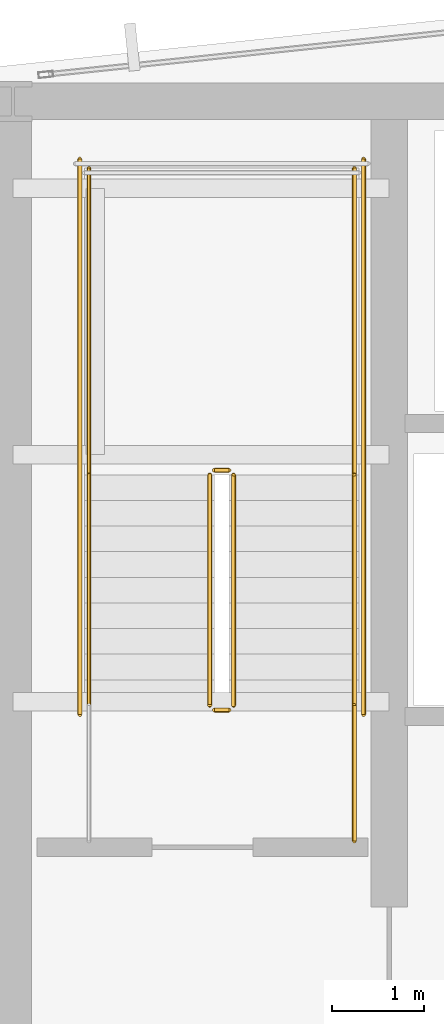
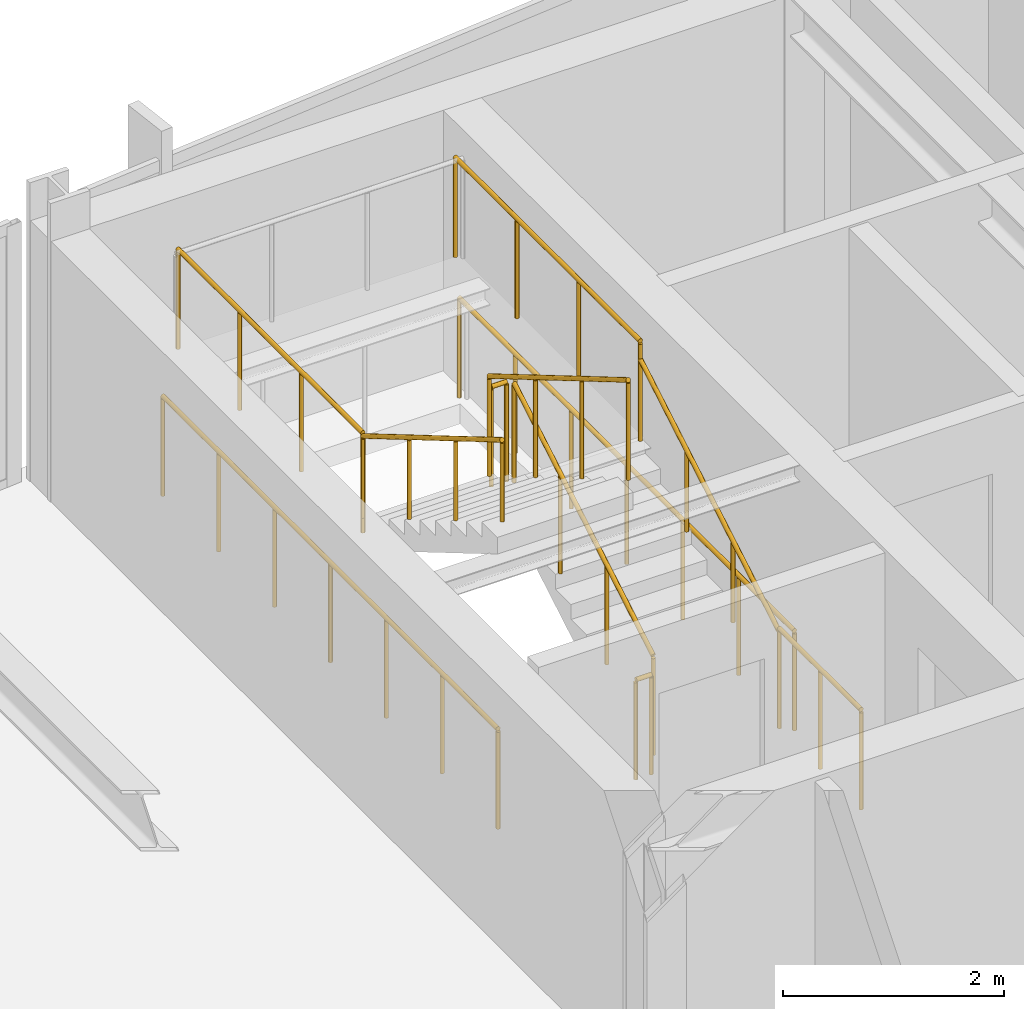
# One storey, part 31 of 33: 11 railings.
"""IFC4 building model written with IfcOpenShell, lengths in metres."""

from ifc_helpers import new_model, si_unit, direction, frame, origin, origin_2d, place, context, subcontext, project, spatial, circle, extrude, material, layer, layer_set, type_object, element, save


model = new_model("IFC4")

# Units and contexts
model_context = context("Model", 3, precision=1e-05, world=origin(), true_north=direction((0.0, 1.0)))
body_context = subcontext(model_context, "Body", "Model", "MODEL_VIEW")
ifc_project = project(units=[si_unit("LENGTHUNIT", "METRE"), si_unit("AREAUNIT", "SQUARE_METRE"), si_unit("VOLUMEUNIT", "CUBIC_METRE"), si_unit("PLANEANGLEUNIT", "RADIAN"), si_unit("MASSUNIT", "GRAM", prefix="KILO")], contexts=[model_context])

# Site, building, storey
site_placement = place(None, origin())
site = spatial("IfcSite", under=ifc_project, at=site_placement, CompositionType="ELEMENT")
building_placement = place(site_placement, origin())
building = spatial("IfcBuilding", under=site, at=building_placement, Name="Yelkora Congress Tower", CompositionType="ELEMENT")
storey_placement = place(building_placement, frame((0.0, 0.0, 244.10009765625)))
storey = spatial("IfcBuildingStorey", under=building, at=storey_placement, Name="L68", CompositionType="ELEMENT", Elevation=244.10009765625)

# Railings
ifc_material_1 = material(Name="Painted galvanised steel stair well guard with vertical infill", Category="steel")
ifc_layer_1 = layer(ifc_material_1, 0.06005859375)
ifc_layer_set_1 = layer_set([ifc_layer_1], Name="Painted galvanised steel stair well guard with vertical infill")
railing_type_1 = type_object("IfcRailingType", Name="RAIL-STAIR-GUARD-1120", PredefinedType="GUARDRAIL", material=ifc_layer_set_1)
railing_1_placement = place(storey_placement, frame((25.449951171875, 39.60009765625, 0.164794921875)))
element("IfcRailing", 1, at=railing_1_placement, inside=storey, type_object=railing_type_1, Name="ST-01 L68 Stair Well Guardrail 1", PredefinedType="GUARDRAIL", context=body_context, shape_type="SweptSolid", body=[
    extrude(circle(Radius=0.02392578125, at=origin_2d()), frame((0.0, 0.0, 1.09619140625), z_axis=(0.0, 0.86152411907, 0.507716645641), x_axis=(-1.0, 0.0, 0.0)), (0.0, 0.0, 1.0), 2.925048828125),
    extrude(circle(Radius=0.02099609375, at=origin_2d()), origin(), (0.0, 0.0, 1.0), 1.072021484375),
    extrude(circle(Radius=0.02099609375, at=origin_2d()), frame((0.0, 0.840087890625, 0.4951171875)), (0.0, 0.0, 1.0), 1.072021484375),
    extrude(circle(Radius=0.02099609375, at=origin_2d()), frame((0.0, 1.679931640625, 0.989990234375)), (0.0, 0.0, 1.0), 1.072021484375),
    extrude(circle(Radius=0.02099609375, at=origin_2d()), frame((0.0, 2.52001953125, 1.485107421875)), (0.0, 0.0, 1.0), 1.072021484375),
])
railing_2_placement = place(storey_placement, frame((25.39990234375, 42.169921875, 1.64990234375)))
element("IfcRailing", 2, at=railing_2_placement, inside=storey, type_object=railing_type_1, Name="ST-01 L68 Stair Well Guardrail 2", PredefinedType="GUARDRAIL", context=body_context, shape_type="SweptSolid", body=[
    extrude(circle(Radius=0.02392578125, at=origin_2d()), frame((0.0, 0.0, 1.09619140625), z_axis=(-1.0, 0.0, 0.0), x_axis=(0.0, -1.0, 0.0)), (0.0, 0.0, 1.0), 0.159912109375),
    extrude(circle(Radius=0.02099609375, at=origin_2d()), origin(), (0.0, 0.0, 1.0), 1.072021484375),
    extrude(circle(Radius=0.02099609375, at=origin_2d()), frame((-0.159912109375, 0.0, 0.0)), (0.0, 0.0, 1.0), 1.072021484375),
])
for number, where, name in (
    (3, (26.77001953125, 42.1201171875, 1.64990234375), "ST-01 L68 Stair Well Guardrail 3"),
    (4, (23.8701171875, 42.1201171875, 1.64990234375), "ST-01 L68 Stair Well Guardrail 4"),
):
    element("IfcRailing", number, at=place(storey_placement, frame(where)), inside=storey, type_object=railing_type_1, Name=name, PredefinedType="GUARDRAIL", context=body_context, shape_type="SweptSolid", body=[
        extrude(circle(Radius=0.02392578125, at=origin_2d()), frame((0.0, 0.0, 1.09619140625), z_axis=(0.0, 1.0, 0.0), x_axis=(-1.0, 0.0, 0.0)), (0.0, 0.0, 1.0), 3.349853515625),
        extrude(circle(Radius=0.02099609375, at=origin_2d()), origin(), (0.0, 0.0, 1.0), 1.072021484375),
        extrude(circle(Radius=0.02099609375, at=origin_2d()), frame((0.0, 1.11669921875, 0.0)), (0.0, 0.0, 1.0), 1.072021484375),
        extrude(circle(Radius=0.02099609375, at=origin_2d()), frame((0.0, 2.233154296875, 0.0)), (0.0, 0.0, 1.0), 1.072021484375),
        extrude(circle(Radius=0.02099609375, at=origin_2d()), frame((0.0, 3.349853515625, 0.0)), (0.0, 0.0, 1.0), 1.072021484375),
    ])
railing_3_placement = place(storey_placement, frame((25.18994140625, 42.1201171875, 1.81494140625)))
element("IfcRailing", 5, at=railing_3_placement, inside=storey, type_object=railing_type_1, Name="ST-01 L68 Stair Well Guardrail 6", PredefinedType="GUARDRAIL", context=body_context, shape_type="SweptSolid", body=[
    extrude(circle(Radius=0.02392578125, at=origin_2d()), frame((0.0, 0.0, 1.09619140625), z_axis=(0.0, -0.861560626758, 0.507654692109), x_axis=(1.0, 0.0, 0.0)), (0.0, 0.0, 1.0), 2.925048828125),
    extrude(circle(Radius=0.02099609375, at=origin_2d()), origin(), (0.0, 0.0, 1.0), 1.072021484375),
    extrude(circle(Radius=0.02099609375, at=origin_2d()), frame((0.0, -0.840087890625, 0.494873046875)), (0.0, 0.0, 1.0), 1.072021484375),
    extrude(circle(Radius=0.02099609375, at=origin_2d()), frame((0.0, -1.679931640625, 0.989990234375)), (0.0, 0.0, 1.0), 1.072021484375),
    extrude(circle(Radius=0.02099609375, at=origin_2d()), frame((0.0, -2.52001953125, 1.48486328125)), (0.0, 0.0, 1.0), 1.072021484375),
])
railing_4_placement = place(storey_placement, frame((25.39990234375, 39.550048828125, 0.0)))
element("IfcRailing", 6, at=railing_4_placement, inside=storey, type_object=railing_type_1, Name="ST-01 L68 Stair Well Guardrail 7", PredefinedType="GUARDRAIL", context=body_context, shape_type="SweptSolid", body=[
    extrude(circle(Radius=0.02392578125, at=origin_2d()), frame((0.0, 0.0, 1.09619140625), z_axis=(-1.0, 0.0, 0.0), x_axis=(0.0, -1.0, 0.0)), (0.0, 0.0, 1.0), 0.159912109375),
    extrude(circle(Radius=0.02099609375, at=origin_2d()), origin(), (0.0, 0.0, 1.0), 1.072021484375),
    extrude(circle(Radius=0.02099609375, at=origin_2d()), frame((-0.159912109375, 0.0, 0.0)), (0.0, 0.0, 1.0), 1.072021484375),
])
railing_5_placement = place(storey_placement, frame((26.77001953125, 38.1201171875, 0.0)))
element("IfcRailing", 7, at=railing_5_placement, inside=storey, type_object=railing_type_1, Name="ST-01 L68 Stair Well Guardrail 8", PredefinedType="GUARDRAIL", context=body_context, shape_type="SweptSolid", body=[
    extrude(circle(Radius=0.02392578125, at=origin_2d()), frame((0.0, 0.0, 1.09619140625), z_axis=(0.0, 1.0, 0.0), x_axis=(-1.0, 0.0, 0.0)), (0.0, 0.0, 1.0), 1.47998046875),
    extrude(circle(Radius=0.02099609375, at=origin_2d()), origin(), (0.0, 0.0, 1.0), 1.072021484375),
    extrude(circle(Radius=0.02099609375, at=origin_2d()), frame((0.0, 0.739990234375, 0.0)), (0.0, 0.0, 1.0), 1.072021484375),
    extrude(circle(Radius=0.02099609375, at=origin_2d()), frame((0.0, 1.47998046875, 0.0)), (0.0, 0.0, 1.0), 1.072021484375),
])
for number, where, name in (
    (8, (26.8701171875, 39.5, 0.0), "ST-01 L68 Stair Well Guardrail 10"),
    (9, (23.77001953125, 39.5, 0.0), "ST-01 L68 Stair Well Guardrail 11"),
):
    element("IfcRailing", number, at=place(storey_placement, frame(where)), inside=storey, type_object=railing_type_1, Name=name, PredefinedType="GUARDRAIL", context=body_context, shape_type="SweptSolid", body=[
        extrude(circle(Radius=0.02392578125, at=origin_2d()), frame((0.0, 0.0, 1.09619140625), z_axis=(0.0, 1.0, 0.0), x_axis=(-1.0, 0.0, 0.0)), (0.0, 0.0, 1.0), 6.070068359375),
        extrude(circle(Radius=0.02099609375, at=origin_2d()), origin(), (0.0, 0.0, 1.0), 1.072021484375),
        extrude(circle(Radius=0.02099609375, at=origin_2d()), frame((0.0, 1.01171875, 0.0)), (0.0, 0.0, 1.0), 1.072021484375),
        extrude(circle(Radius=0.02099609375, at=origin_2d()), frame((0.0, 2.0234375, 0.0)), (0.0, 0.0, 1.0), 1.072021484375),
        extrude(circle(Radius=0.02099609375, at=origin_2d()), frame((0.0, 3.03515625, 0.0)), (0.0, 0.0, 1.0), 1.072021484375),
        extrude(circle(Radius=0.02099609375, at=origin_2d()), frame((0.0, 4.046630859375, 0.0)), (0.0, 0.0, 1.0), 1.072021484375),
        extrude(circle(Radius=0.02099609375, at=origin_2d()), frame((0.0, 5.058349609375, 0.0)), (0.0, 0.0, 1.0), 1.072021484375),
        extrude(circle(Radius=0.02099609375, at=origin_2d()), frame((0.0, 6.070068359375, 0.0)), (0.0, 0.0, 1.0), 1.072021484375),
    ])
ifc_material_2 = material(Name="Brushed stainless steel tubular handrail", Category="steel")
ifc_layer_2 = layer(ifc_material_2, 0.050048828125)
ifc_layer_set_2 = layer_set([ifc_layer_2], Name="Brushed stainless steel tubular handrail")
railing_type_2 = type_object("IfcRailingType", Name="RAIL-STAIR-HAND-920", PredefinedType="HANDRAIL", material=ifc_layer_set_2)
railing_6_placement = place(storey_placement, frame((26.77001953125, 39.60009765625, 0.164794921875)))
element("IfcRailing", 10, at=railing_6_placement, inside=storey, type_object=railing_type_2, Name="ST-01 L68 Pitch Handrail 1", PredefinedType="HANDRAIL", context=body_context, shape_type="SweptSolid", body=[
    extrude(circle(Radius=0.02392578125, at=origin_2d()), frame((0.0, 0.0, 0.89599609375), z_axis=(0.0, 0.86152411907, 0.507716645641), x_axis=(-1.0, 0.0, 0.0)), (0.0, 0.0, 1.0), 2.925048828125),
    extrude(circle(Radius=0.02099609375, at=origin_2d()), origin(), (0.0, 0.0, 1.0), 0.871826171875),
    extrude(circle(Radius=0.02099609375, at=origin_2d()), frame((0.0, 0.840087890625, 0.4951171875)), (0.0, 0.0, 1.0), 0.871826171875),
    extrude(circle(Radius=0.02099609375, at=origin_2d()), frame((0.0, 1.679931640625, 0.989990234375)), (0.0, 0.0, 1.0), 0.871826171875),
    extrude(circle(Radius=0.02099609375, at=origin_2d()), frame((0.0, 2.52001953125, 1.485107421875)), (0.0, 0.0, 1.0), 0.871826171875),
])
railing_7_placement = place(storey_placement, frame((23.8701171875, 42.1201171875, 1.81494140625)))
element("IfcRailing", 11, at=railing_7_placement, inside=storey, type_object=railing_type_2, Name="ST-01 L68 Pitch Handrail 2", PredefinedType="HANDRAIL", context=body_context, shape_type="SweptSolid", body=[
    extrude(circle(Radius=0.02392578125, at=origin_2d()), frame((0.0, 0.0, 0.89599609375), z_axis=(0.0, -0.861560626758, 0.507654692109), x_axis=(1.0, 0.0, 0.0)), (0.0, 0.0, 1.0), 2.925048828125),
    extrude(circle(Radius=0.02099609375, at=origin_2d()), origin(), (0.0, 0.0, 1.0), 0.871826171875),
    extrude(circle(Radius=0.02099609375, at=origin_2d()), frame((0.0, -0.840087890625, 0.494873046875)), (0.0, 0.0, 1.0), 0.871826171875),
    extrude(circle(Radius=0.02099609375, at=origin_2d()), frame((0.0, -1.679931640625, 0.989990234375)), (0.0, 0.0, 1.0), 0.871826171875),
    extrude(circle(Radius=0.02099609375, at=origin_2d()), frame((0.0, -2.52001953125, 1.48486328125)), (0.0, 0.0, 1.0), 0.871826171875),
])

save(model, "model.ifc")
